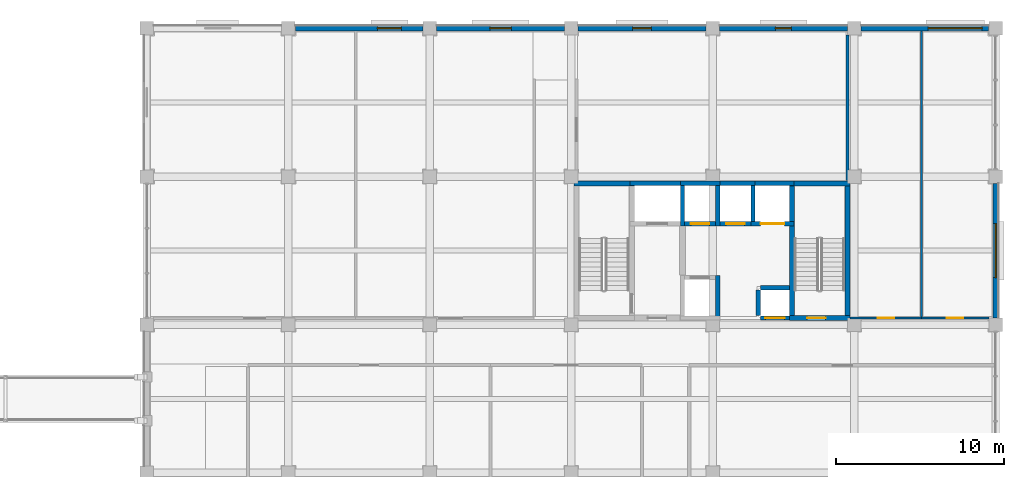
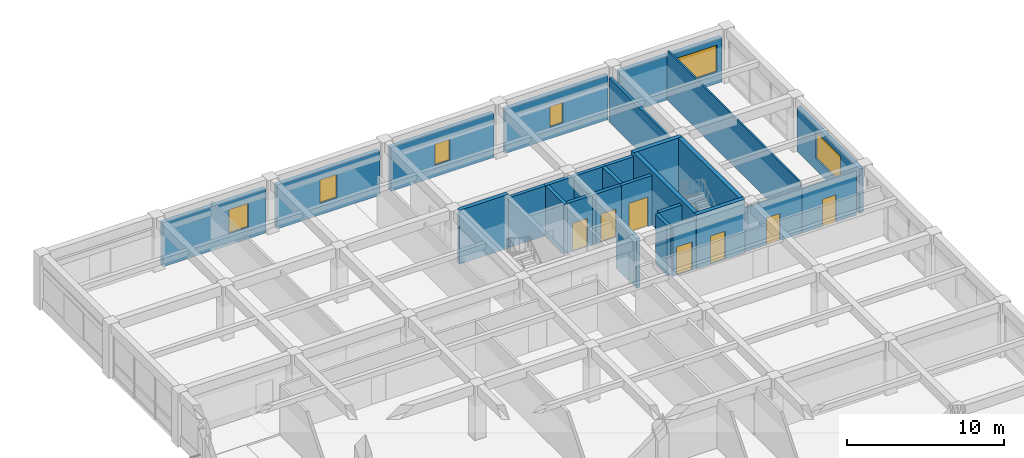
# One storey, part 40 of 57: 29 walls, 7 doors, 6 windows, 13 openings.
"""IFC4 building model written with IfcOpenShell, lengths in metres."""

from ifc_helpers import new_model, si_unit, direction, frame, frame_2d, origin, place, context, subcontext, project, spatial, rectangle, extrude, material, layer, layer_set, type_object, element, fill, save


model = new_model("IFC4")

# Units and contexts
model_context = context("Model", 3, precision=1e-05, world=origin(), true_north=direction((0.0, 1.0)))
body_context = subcontext(model_context, "Body", "Model", "MODEL_VIEW")
ifc_project = project(units=[si_unit("LENGTHUNIT", "METRE"), si_unit("AREAUNIT", "SQUARE_METRE"), si_unit("VOLUMEUNIT", "CUBIC_METRE"), si_unit("PLANEANGLEUNIT", "RADIAN"), si_unit("MASSUNIT", "GRAM", prefix="KILO")], contexts=[model_context])

# Site, building, storey
site_placement = place(None, origin())
site = spatial("IfcSite", under=ifc_project, at=site_placement, CompositionType="ELEMENT")
building_placement = place(site_placement, origin())
building = spatial("IfcBuilding", under=site, at=building_placement, Name="Kemercrest Conservatory and Botanical Centre", CompositionType="ELEMENT")
storey_placement = place(building_placement, frame((0.0, 0.0, 4.800048828125)))
storey = spatial("IfcBuildingStorey", under=building, at=storey_placement, Name="L01", CompositionType="ELEMENT", Elevation=4.800048828125)

# Wall
ifc_material_1 = material(Name="Concrete C50/60", Category="concrete")
ifc_layer_1 = layer(ifc_material_1, 0.300048828125)
ifc_layer_set_1 = layer_set([ifc_layer_1], Name="Concrete C50/60")
wall_type_1 = type_object("IfcWallType", Name="CW-STAIR", PredefinedType="SHEAR", material=ifc_layer_set_1)
wall_1_placement = place(storey_placement, frame((150.949951171875, 113.199951171875, 0.0), z_axis=(0.0, 0.0, 1.0), x_axis=(1.0, 0.0, 0.0)))
element("IfcWall", 1, at=wall_1_placement, inside=storey, type_object=wall_type_1, Name="Stair core ST-V4A shear wall N", PredefinedType="SHEAR", context=body_context, shape_type="SweptSolid", body=[
    extrude(rectangle(XDim=3.60009765625, YDim=0.300048828125, at=frame_2d((1.800048828125, 0.0))), origin(), (0.0, 0.0, 1.0), 4.199951171875),
])

# Wall, opening, door
wall_2_placement = place(storey_placement, frame((163.75, 105.199951171875, 0.0), z_axis=(0.0, 0.0, 1.0), x_axis=(1.0, 0.0, 0.0)))
wall_2 = element("IfcWall", 2, at=wall_2_placement, inside=storey, type_object=wall_type_1, Name="Stair core ST-V4B shear wall S", PredefinedType="SHEAR", context=body_context, shape_type="SweptSolid", body=[
    extrude(rectangle(XDim=3.60009765625, YDim=0.300048828125, at=frame_2d((1.800048828125, 0.0))), origin(), (0.0, 0.0, 1.0), 4.199951171875),
])
opening_1_placement = place(wall_2_placement, frame((1.050048828125, 0.0, 0.0)))
opening_1 = element("IfcOpeningElement", 3, at=opening_1_placement, cuts=wall_2, Name="Opening D046", PredefinedType="OPENING", context=body_context, shape_type="SweptSolid", body=[
    extrude(rectangle(XDim=1.10009765625, YDim=2.199951171875, at=frame_2d((0.550048828125, 1.10009765625))), frame((0.0, 0.16015625, 0.0), z_axis=(0.0, -1.0, 0.0), x_axis=(1.0, 0.0, 0.0)), (0.0, 0.0, 1.0), 0.320068359375),
])
ifc_material_2 = material(Name="Powder-coated galvanized steel and fire-rated vision glass", Category="steel")
door_type_1 = type_object("IfcDoorType", Name="DT-FD90", OperationType="NOTDEFINED", PredefinedType="DOOR", material=ifc_material_2)
door_1_placement = place(opening_1_placement, origin())
door_1 = element("IfcDoor", 4, at=door_1_placement, inside=storey, type_object=door_type_1, Name="Exit stair ST-V4B fire door D046", OperationType="SINGLE_SWING_RIGHT", OverallHeight=2.199951171875, OverallWidth=1.10009765625, PredefinedType="DOOR", context=body_context, shape_type="SweptSolid", body=[
    extrude(rectangle(XDim=1.10009765625, YDim=2.199951171875, at=frame_2d((0.550048828125, 1.10009765625))), frame((0.0, 0.02490234375, 0.0), z_axis=(0.0, -1.0, 0.0), x_axis=(1.0, 0.0, 0.0)), (0.0, 0.0, 1.0), 0.050048828125),
])
fill(opening_1, door_1)

# Walls
wall_3_placement = place(storey_placement, frame((163.75, 113.199951171875, 0.0), z_axis=(0.0, 0.0, 1.0), x_axis=(1.0, 0.0, 0.0)))
element("IfcWall", 5, at=wall_3_placement, inside=storey, type_object=wall_type_1, Name="Stair core ST-V4B shear wall N", PredefinedType="SHEAR", context=body_context, shape_type="SweptSolid", body=[
    extrude(rectangle(XDim=3.60009765625, YDim=0.300048828125, at=frame_2d((1.800048828125, 0.0))), origin(), (0.0, 0.0, 1.0), 4.199951171875),
])
for number, where, z_axis, x_axis, name in (
    (6, (163.89990234375, 105.050048828125, 0.0), (0.0, 0.0, 1.0), (0.0, 1.0, 0.0), "Stair core ST-V4B shear wall W"),
    (7, (167.199951171875, 105.050048828125, 0.0), (0.0, 0.0, 1.0), (0.0, 1.0, 0.0), "Stair core ST-V4B shear wall E"),
):
    element("IfcWall", number, at=place(storey_placement, frame(where, z_axis=z_axis, x_axis=x_axis)), inside=storey, type_object=wall_type_1, Name=name, PredefinedType="SHEAR", context=body_context, shape_type="SweptSolid", body=[
        extrude(rectangle(XDim=8.300048828125, YDim=0.300048828125, at=frame_2d((4.14990234375, 0.0))), origin(), (0.0, 0.0, 1.0), 4.199951171875),
    ])

# Wall, opening, window
ifc_material_3 = material(Name="Precast concrete C40/50", Category="concrete")
ifc_layer_2 = layer(ifc_material_3, 0.300048828125)
ifc_layer_set_2 = layer_set([ifc_layer_2], Name="Precast concrete C40/50")
wall_type_2 = type_object("IfcWallType", Name="W-EXT300", PredefinedType="SOLIDWALL", material=ifc_layer_set_2)
wall_4_placement = place(storey_placement, frame((176.0, 105.2099609375, 0.0), z_axis=(0.0, 0.0, 1.0), x_axis=(0.0, 1.0, 0.0)))
wall_4 = element("IfcWall", 8, at=wall_4_placement, inside=storey, type_object=wall_type_2, Name="Exterior almasik wall W-EXT300 (WAL:L01:EXT-180)", PredefinedType="SOLIDWALL", context=body_context, shape_type="SweptSolid", body=[
    extrude(rectangle(XDim=7.97998046875, YDim=0.300048828125, at=frame_2d((3.989990234375, 0.0))), origin(), (0.0, 0.0, 1.0), 3.449951171875),
])
opening_2_placement = place(wall_4_placement, frame((2.389892578125, 0.0, 0.89990234375)))
opening_2 = element("IfcOpeningElement", 9, at=opening_2_placement, cuts=wall_4, Name="Opening WT-19", PredefinedType="OPENING", context=body_context, shape_type="SweptSolid", body=[
    extrude(rectangle(XDim=3.199951171875, YDim=2.10009765625, at=frame_2d((1.60009765625, 1.050048828125))), frame((0.0, 0.16015625, 0.0), z_axis=(0.0, -1.0, 0.0), x_axis=(1.0, 0.0, 0.0)), (0.0, 0.0, 1.0), 0.320068359375),
])
ifc_material_4 = material(Name="Thermally broken bronze-anodized aluminium and triple glazing", Category="aluminium")
window_type_1 = type_object("IfcWindowType", Name="WT-19", PartitioningType="SINGLE_PANEL", PredefinedType="WINDOW", material=ifc_material_4)
window_1_placement = place(opening_2_placement, origin())
window_1 = element("IfcWindow", 10, at=window_1_placement, inside=storey, type_object=window_type_1, Name="Exterior window WT-19 (WIN:L01:EXT-180)", OverallHeight=2.10009765625, OverallWidth=3.199951171875, PartitioningType="SINGLE_PANEL", PredefinedType="WINDOW", context=body_context, shape_type="SweptSolid", body=[
    extrude(rectangle(XDim=3.199951171875, YDim=2.10009765625, at=frame_2d((1.60009765625, 1.050048828125))), frame((0.0, 0.030029296875, 0.0), z_axis=(0.0, -1.0, 0.0), x_axis=(1.0, 0.0, 0.0)), (0.0, 0.0, 1.0), 0.06005859375),
])
fill(opening_2, window_1)

wall_5_placement = place(storey_placement, frame((175.590087890625, 122.39990234375, 0.0), z_axis=(0.0, 0.0, 1.0), x_axis=(-1.0, 0.0, 0.0)))
wall_5 = element("IfcWall", 11, at=wall_5_placement, inside=storey, type_object=wall_type_2, Name="Exterior almasik wall W-EXT300 (WAL:L01:EXT-181)", PredefinedType="SOLIDWALL", context=body_context, shape_type="SweptSolid", body=[
    extrude(rectangle(XDim=7.580078125, YDim=0.300048828125, at=frame_2d((3.7900390625, 0.0))), origin(), (0.0, 0.0, 1.0), 3.449951171875),
])
opening_3_placement = place(wall_5_placement, frame((0.39501953125, 0.0, 0.89990234375)))
opening_3 = element("IfcOpeningElement", 12, at=opening_3_placement, cuts=wall_5, Name="Opening WT-19", PredefinedType="OPENING", context=body_context, shape_type="SweptSolid", body=[
    extrude(rectangle(XDim=3.199951171875, YDim=2.10009765625, at=frame_2d((1.60009765625, 1.050048828125))), frame((0.0, 0.16015625, 0.0), z_axis=(0.0, -1.0, 0.0), x_axis=(1.0, 0.0, 0.0)), (0.0, 0.0, 1.0), 0.320068359375),
])
window_2_placement = place(opening_3_placement, origin())
window_2 = element("IfcWindow", 13, at=window_2_placement, inside=storey, type_object=window_type_1, Name="Exterior window WT-19 (WIN:L01:EXT-181)", OverallHeight=2.10009765625, OverallWidth=3.199951171875, PartitioningType="SINGLE_PANEL", PredefinedType="WINDOW", context=body_context, shape_type="SweptSolid", body=[
    extrude(rectangle(XDim=3.199951171875, YDim=2.10009765625, at=frame_2d((1.60009765625, 1.050048828125))), frame((0.0, 0.030029296875, 0.0), z_axis=(0.0, -1.0, 0.0), x_axis=(1.0, 0.0, 0.0)), (0.0, 0.0, 1.0), 0.06005859375),
])
fill(opening_3, window_2)

wall_6_placement = place(storey_placement, frame((167.18994140625, 122.39990234375, 0.0), z_axis=(0.0, 0.0, 1.0), x_axis=(-1.0, 0.0, 0.0)))
wall_6 = element("IfcWall", 14, at=wall_6_placement, inside=storey, type_object=wall_type_2, Name="Exterior almasik wall W-EXT300 (WAL:L01:EXT-182)", PredefinedType="SOLIDWALL", context=body_context, shape_type="SweptSolid", body=[
    extrude(rectangle(XDim=7.579833984375, YDim=0.300048828125, at=frame_2d((3.7900390625, 0.0))), origin(), (0.0, 0.0, 1.0), 3.449951171875),
])
opening_4_placement = place(wall_6_placement, frame((3.31494140625, 0.0, 0.89990234375)))
opening_4 = element("IfcOpeningElement", 15, at=opening_4_placement, cuts=wall_6, Name="Opening WT-21", PredefinedType="OPENING", context=body_context, shape_type="SweptSolid", body=[
    extrude(rectangle(XDim=0.949951171875, YDim=1.60009765625, at=frame_2d((0.47509765625, 0.800048828125))), frame((0.0, 0.16015625, 0.0), z_axis=(0.0, -1.0, 0.0), x_axis=(1.0, 0.0, 0.0)), (0.0, 0.0, 1.0), 0.320068359375),
])
window_type_2 = type_object("IfcWindowType", Name="WT-21", PartitioningType="SINGLE_PANEL", PredefinedType="WINDOW", material=ifc_material_4)
window_3_placement = place(opening_4_placement, origin())
window_3 = element("IfcWindow", 16, at=window_3_placement, inside=storey, type_object=window_type_2, Name="Exterior window WT-21 (WIN:L01:EXT-182)", OverallHeight=1.60009765625, OverallWidth=0.949951171875, PartitioningType="SINGLE_PANEL", PredefinedType="WINDOW", context=body_context, shape_type="SweptSolid", body=[
    extrude(rectangle(XDim=0.949951171875, YDim=1.60009765625, at=frame_2d((0.47509765625, 0.800048828125))), frame((0.0, 0.030029296875, 0.0), z_axis=(0.0, -1.0, 0.0), x_axis=(1.0, 0.0, 0.0)), (0.0, 0.0, 1.0), 0.06005859375),
])
fill(opening_4, window_3)

wall_7_placement = place(storey_placement, frame((158.7900390625, 122.39990234375, 0.0), z_axis=(0.0, 0.0, 1.0), x_axis=(-1.0, 0.0, 0.0)))
wall_7 = element("IfcWall", 17, at=wall_7_placement, inside=storey, type_object=wall_type_2, Name="Exterior almasik wall W-EXT300 (WAL:L01:EXT-183)", PredefinedType="SOLIDWALL", context=body_context, shape_type="SweptSolid", body=[
    extrude(rectangle(XDim=7.580078125, YDim=0.300048828125, at=frame_2d((3.7900390625, 0.0))), origin(), (0.0, 0.0, 1.0), 3.449951171875),
])
opening_5_placement = place(wall_7_placement, frame((3.239990234375, 0.0, 0.89990234375)))
opening_5 = element("IfcOpeningElement", 18, at=opening_5_placement, cuts=wall_7, Name="Opening WT-22", PredefinedType="OPENING", context=body_context, shape_type="SweptSolid", body=[
    extrude(rectangle(XDim=1.10009765625, YDim=1.64990234375, at=frame_2d((0.550048828125, 0.824951171875))), frame((0.0, 0.16015625, 0.0), z_axis=(0.0, -1.0, 0.0), x_axis=(1.0, 0.0, 0.0)), (0.0, 0.0, 1.0), 0.320068359375),
])
window_type_3 = type_object("IfcWindowType", Name="WT-22", PartitioningType="SINGLE_PANEL", PredefinedType="WINDOW", material=ifc_material_4)
window_4_placement = place(opening_5_placement, origin())
window_4 = element("IfcWindow", 19, at=window_4_placement, inside=storey, type_object=window_type_3, Name="Exterior window WT-22 (WIN:L01:EXT-183)", OverallHeight=1.64990234375, OverallWidth=1.10009765625, PartitioningType="SINGLE_PANEL", PredefinedType="WINDOW", context=body_context, shape_type="SweptSolid", body=[
    extrude(rectangle(XDim=1.10009765625, YDim=1.64990234375, at=frame_2d((0.550048828125, 0.824951171875))), frame((0.0, 0.030029296875, 0.0), z_axis=(0.0, -1.0, 0.0), x_axis=(1.0, 0.0, 0.0)), (0.0, 0.0, 1.0), 0.06005859375),
])
fill(opening_5, window_4)

wall_8_placement = place(storey_placement, frame((150.389892578125, 122.39990234375, 0.0), z_axis=(0.0, 0.0, 1.0), x_axis=(-1.0, 0.0, 0.0)))
wall_8 = element("IfcWall", 20, at=wall_8_placement, inside=storey, type_object=wall_type_2, Name="Exterior almasik wall W-EXT300 (WAL:L01:EXT-184)", PredefinedType="SOLIDWALL", context=body_context, shape_type="SweptSolid", body=[
    extrude(rectangle(XDim=7.579833984375, YDim=0.300048828125, at=frame_2d((3.7900390625, 0.0))), origin(), (0.0, 0.0, 1.0), 3.449951171875),
])
opening_6_placement = place(wall_8_placement, frame((3.14990234375, 0.0, 0.89990234375)))
opening_6 = element("IfcOpeningElement", 21, at=opening_6_placement, cuts=wall_8, Name="Opening WT-29", PredefinedType="OPENING", context=body_context, shape_type="SweptSolid", body=[
    extrude(rectangle(XDim=1.280029296875, YDim=1.820068359375, at=frame_2d((0.64013671875, 0.91015625))), frame((0.0, 0.16015625, 0.0), z_axis=(0.0, -1.0, 0.0), x_axis=(1.0, 0.0, 0.0)), (0.0, 0.0, 1.0), 0.320068359375),
])
window_type_4 = type_object("IfcWindowType", Name="WT-29", PartitioningType="SINGLE_PANEL", PredefinedType="WINDOW", material=ifc_material_4)
window_5_placement = place(opening_6_placement, origin())
window_5 = element("IfcWindow", 22, at=window_5_placement, inside=storey, type_object=window_type_4, Name="Exterior window WT-29 (WIN:L01:EXT-184)", OverallHeight=1.820068359375, OverallWidth=1.280029296875, PartitioningType="SINGLE_PANEL", PredefinedType="WINDOW", context=body_context, shape_type="SweptSolid", body=[
    extrude(rectangle(XDim=1.280029296875, YDim=1.820068359375, at=frame_2d((0.64013671875, 0.91015625))), frame((0.0, 0.030029296875, 0.0), z_axis=(0.0, -1.0, 0.0), x_axis=(1.0, 0.0, 0.0)), (0.0, 0.0, 1.0), 0.06005859375),
])
fill(opening_6, window_5)

wall_9_placement = place(storey_placement, frame((141.989990234375, 122.39990234375, 0.0), z_axis=(0.0, 0.0, 1.0), x_axis=(-1.0, 0.0, 0.0)))
wall_9 = element("IfcWall", 23, at=wall_9_placement, inside=storey, type_object=wall_type_2, Name="Exterior almasik wall W-EXT300 (WAL:L01:EXT-185)", PredefinedType="SOLIDWALL", context=body_context, shape_type="SweptSolid", body=[
    extrude(rectangle(XDim=7.580078125, YDim=0.300048828125, at=frame_2d((3.7900390625, 0.0))), origin(), (0.0, 0.0, 1.0), 3.449951171875),
])
opening_7_placement = place(wall_9_placement, frame((1.284912109375, 0.0, 0.89990234375)))
opening_7 = element("IfcOpeningElement", 24, at=opening_7_placement, cuts=wall_9, Name="Opening WT-30", PredefinedType="OPENING", context=body_context, shape_type="SweptSolid", body=[
    extrude(rectangle(XDim=1.419921875, YDim=1.860107421875, at=frame_2d((0.7099609375, 0.93017578125))), frame((0.0, 0.16015625, 0.0), z_axis=(0.0, -1.0, 0.0), x_axis=(1.0, 0.0, 0.0)), (0.0, 0.0, 1.0), 0.320068359375),
])
window_type_5 = type_object("IfcWindowType", Name="WT-30", PartitioningType="SINGLE_PANEL", PredefinedType="WINDOW", material=ifc_material_4)
window_6_placement = place(opening_7_placement, origin())
window_6 = element("IfcWindow", 25, at=window_6_placement, inside=storey, type_object=window_type_5, Name="Exterior window WT-30 (WIN:L01:EXT-185)", OverallHeight=1.860107421875, OverallWidth=1.419921875, PartitioningType="SINGLE_PANEL", PredefinedType="WINDOW", context=body_context, shape_type="SweptSolid", body=[
    extrude(rectangle(XDim=1.419921875, YDim=1.860107421875, at=frame_2d((0.7099609375, 0.93017578125))), frame((0.0, 0.030029296875, 0.0), z_axis=(0.0, -1.0, 0.0), x_axis=(1.0, 0.0, 0.0)), (0.0, 0.0, 1.0), 0.06005859375),
])
fill(opening_7, window_6)

# Wall, opening, door
ifc_material_5 = material(Name="Moisture-resistant gypsum board partition", Category="gypsum")
ifc_layer_3 = layer(ifc_material_5, 0.125)
ifc_layer_set_3 = layer_set([ifc_layer_3], Name="Moisture-resistant gypsum board partition")
wall_type_3 = type_object("IfcWallType", Name="W-PART125", PredefinedType="PARTITIONING", material=ifc_layer_set_3)
wall_10_placement = place(storey_placement, frame((167.35498046875, 105.199951171875, 0.0), z_axis=(0.0, 0.0, 1.0), x_axis=(1.0, 0.0, 0.0)))
wall_10 = element("IfcWall", 26, at=wall_10_placement, inside=storey, type_object=wall_type_3, Name="Interior partition W-PART125 #84", PredefinedType="PARTITIONING", context=body_context, shape_type="SweptSolid", body=[
    extrude(rectangle(XDim=4.2451171875, YDim=0.125, at=frame_2d((2.12255859375, 0.0))), origin(), (0.0, 0.0, 1.0), 3.445068359375),
])
opening_8_placement = place(wall_10_placement, frame((1.632568359375, 0.0, 0.0)))
opening_8 = element("IfcOpeningElement", 27, at=opening_8_placement, cuts=wall_10, Name="Opening D160", PredefinedType="OPENING", context=body_context, shape_type="SweptSolid", body=[
    extrude(rectangle(XDim=0.97998046875, YDim=2.10009765625, at=frame_2d((0.489990234375, 1.050048828125))), frame((0.0, 0.072509765625, 0.0), z_axis=(0.0, -1.0, 0.0), x_axis=(1.0, 0.0, 0.0)), (0.0, 0.0, 1.0), 0.14501953125),
])
ifc_material_6 = material(Name="FSC solid-core white oak veneer and anodized aluminium frame", Category="aluminium")
door_type_2 = type_object("IfcDoorType", Name="DT-02", OperationType="NOTDEFINED", PredefinedType="DOOR", material=ifc_material_6)
door_2_placement = place(opening_8_placement, origin())
door_2 = element("IfcDoor", 28, at=door_2_placement, inside=storey, type_object=door_type_2, Name="Public Washroom door D160", OperationType="SINGLE_SWING_RIGHT", OverallHeight=2.10009765625, OverallWidth=0.97998046875, PredefinedType="DOOR", context=body_context, shape_type="SweptSolid", body=[
    extrude(rectangle(XDim=0.97998046875, YDim=2.10009765625, at=frame_2d((0.489990234375, 1.050048828125))), frame((0.0, 0.02490234375, 0.0), z_axis=(0.0, -1.0, 0.0), x_axis=(1.0, 0.0, 0.0)), (0.0, 0.0, 1.0), 0.050048828125),
])
fill(opening_8, door_2)

wall_11_placement = place(storey_placement, frame((171.60009765625, 105.199951171875, 0.0), z_axis=(0.0, 0.0, 1.0), x_axis=(1.0, 0.0, 0.0)))
wall_11 = element("IfcWall", 29, at=wall_11_placement, inside=storey, type_object=wall_type_3, Name="Interior partition W-PART125 #85", PredefinedType="PARTITIONING", context=body_context, shape_type="SweptSolid", body=[
    extrude(rectangle(XDim=4.0, YDim=0.125, at=frame_2d((2.0, 0.0))), origin(), (0.0, 0.0, 1.0), 3.445068359375),
])
opening_9_placement = place(wall_11_placement, frame((1.510009765625, 0.0, 0.0)))
opening_9 = element("IfcOpeningElement", 30, at=opening_9_placement, cuts=wall_11, Name="Opening D161", PredefinedType="OPENING", context=body_context, shape_type="SweptSolid", body=[
    extrude(rectangle(XDim=0.97998046875, YDim=2.10009765625, at=frame_2d((0.489990234375, 1.050048828125))), frame((0.0, 0.072509765625, 0.0), z_axis=(0.0, -1.0, 0.0), x_axis=(1.0, 0.0, 0.0)), (0.0, 0.0, 1.0), 0.14501953125),
])
door_3_placement = place(opening_9_placement, origin())
door_3 = element("IfcDoor", 31, at=door_3_placement, inside=storey, type_object=door_type_2, Name="Accessible Washroom door D161", OperationType="SINGLE_SWING_LEFT", OverallHeight=2.10009765625, OverallWidth=0.97998046875, PredefinedType="DOOR", context=body_context, shape_type="SweptSolid", body=[
    extrude(rectangle(XDim=0.97998046875, YDim=2.10009765625, at=frame_2d((0.489990234375, 1.050048828125))), frame((0.0, 0.02490234375, 0.0), z_axis=(0.0, -1.0, 0.0), x_axis=(1.0, 0.0, 0.0)), (0.0, 0.0, 1.0), 0.050048828125),
])
fill(opening_9, door_3)

# Walls
wall_12_placement = place(storey_placement, frame((171.60009765625, 105.267578125, 0.0), z_axis=(0.0, 0.0, 1.0), x_axis=(0.0, 1.0, 0.0)))
element("IfcWall", 32, at=wall_12_placement, inside=storey, type_object=wall_type_3, Name="Interior partition W-PART125 #103", PredefinedType="PARTITIONING", context=body_context, shape_type="SweptSolid", body=[
    extrude(rectangle(XDim=16.9775390625, YDim=0.125, at=frame_2d((8.48876953125, 0.0))), origin(), (0.0, 0.0, 1.0), 3.864990234375),
])
ifc_material_7 = material(Name="Acoustic steel-stud gypsum board assembly", Category="steel")
ifc_layer_4 = layer(ifc_material_7, 0.179931640625)
ifc_layer_set_4 = layer_set([ifc_layer_4], Name="Acoustic steel-stud gypsum board assembly")
wall_type_4 = type_object("IfcWallType", Name="W-PART180", PredefinedType="PARTITIONING", material=ifc_layer_set_4)
wall_13_placement = place(storey_placement, frame((167.199951171875, 113.35498046875, 0.0), z_axis=(0.0, 0.0, 1.0), x_axis=(0.0, 1.0, 0.0)))
element("IfcWall", 33, at=wall_13_placement, inside=storey, type_object=wall_type_4, Name="Interior partition W-PART180 #102", PredefinedType="PARTITIONING", context=body_context, shape_type="SweptSolid", body=[
    extrude(rectangle(XDim=8.64501953125, YDim=0.179931640625, at=frame_2d((4.322509765625, 0.0))), origin(), (0.0, 0.0, 1.0), 3.445068359375),
])
ifc_material_8 = material(Name="Concrete C40/50", Category="concrete")
ifc_layer_5 = layer(ifc_material_8, 0.25)
ifc_layer_set_5 = layer_set([ifc_layer_5], Name="Concrete C40/50")
wall_type_5 = type_object("IfcWallType", Name="W-SHFT250", PredefinedType="SOLIDWALL", material=ifc_layer_set_5)
wall_14_placement = place(storey_placement, frame((154.27490234375, 113.199951171875, 0.0), z_axis=(0.0, 0.0, 1.0), x_axis=(1.0, 0.0, 0.0)))
element("IfcWall", 34, at=wall_14_placement, inside=storey, type_object=wall_type_5, Name="Elevator LF-FF1 shaft wall north", PredefinedType="SOLIDWALL", context=body_context, shape_type="SweptSolid", body=[
    extrude(rectangle(XDim=3.25, YDim=0.25, at=frame_2d((1.625, 0.0))), origin(), (0.0, 0.0, 1.0), 3.8798828125),
])
wall_15_placement = place(storey_placement, frame((157.39990234375, 110.675048828125, 0.0), z_axis=(0.0, 0.0, 1.0), x_axis=(0.0, 1.0, 0.0)))
element("IfcWall", 35, at=wall_15_placement, inside=storey, type_object=wall_type_5, Name="Elevator LF-FF1 shaft wall east", PredefinedType="SOLIDWALL", context=body_context, shape_type="SweptSolid", body=[
    extrude(rectangle(XDim=2.64990234375, YDim=0.25, at=frame_2d((1.324951171875, 0.0))), origin(), (0.0, 0.0, 1.0), 3.8798828125),
])

# Wall, opening, door
wall_16_placement = place(storey_placement, frame((157.27490234375, 110.800048828125, 0.0), z_axis=(0.0, 0.0, 1.0), x_axis=(1.0, 0.0, 0.0)))
wall_16 = element("IfcWall", 36, at=wall_16_placement, inside=storey, type_object=wall_type_5, Name="Elevator LF-P1 shaft wall south", PredefinedType="SOLIDWALL", context=body_context, shape_type="SweptSolid", body=[
    extrude(rectangle(XDim=2.35009765625, YDim=0.25, at=frame_2d((1.175048828125, 0.0))), origin(), (0.0, 0.0, 1.0), 3.8798828125),
])
opening_10_placement = place(wall_16_placement, frame((0.625, 0.0, 0.0)))
opening_10 = element("IfcOpeningElement", 37, at=opening_10_placement, cuts=wall_16, Name="Opening LD-022", PredefinedType="OPENING", context=body_context, shape_type="SweptSolid", body=[
    extrude(rectangle(XDim=1.10009765625, YDim=2.199951171875, at=frame_2d((0.550048828125, 1.10009765625))), frame((0.0, 0.135009765625, 0.0), z_axis=(0.0, -1.0, 0.0), x_axis=(1.0, 0.0, 0.0)), (0.0, 0.0, 1.0), 0.27001953125),
])
door_type_3 = type_object("IfcDoorType", Name="DT-LD01", OperationType="SLIDING_TO_LEFT", PredefinedType="DOOR", material=ifc_material_2)
door_4_placement = place(opening_10_placement, origin())
door_4 = element("IfcDoor", 38, at=door_4_placement, inside=storey, type_object=door_type_3, Name="Elevator LF-P1 sliding landing door LD-022", OperationType="SLIDING_TO_LEFT", OverallHeight=2.199951171875, OverallWidth=1.10009765625, PredefinedType="DOOR", context=body_context, shape_type="SweptSolid", body=[
    extrude(rectangle(XDim=1.10009765625, YDim=2.199951171875, at=frame_2d((0.550048828125, 1.10009765625))), frame((0.0, 0.02490234375, 0.0), z_axis=(0.0, -1.0, 0.0), x_axis=(1.0, 0.0, 0.0)), (0.0, 0.0, 1.0), 0.050048828125),
])
fill(opening_10, door_4)

# Walls
wall_17_placement = place(storey_placement, frame((157.27490234375, 113.199951171875, 0.0), z_axis=(0.0, 0.0, 1.0), x_axis=(1.0, 0.0, 0.0)))
element("IfcWall", 39, at=wall_17_placement, inside=storey, type_object=wall_type_5, Name="Elevator LF-P1 shaft wall north", PredefinedType="SOLIDWALL", context=body_context, shape_type="SweptSolid", body=[
    extrude(rectangle(XDim=2.35009765625, YDim=0.25, at=frame_2d((1.175048828125, 0.0))), origin(), (0.0, 0.0, 1.0), 3.8798828125),
])
wall_18_placement = place(storey_placement, frame((159.5, 110.675048828125, 0.0), z_axis=(0.0, 0.0, 1.0), x_axis=(0.0, 1.0, 0.0)))
element("IfcWall", 40, at=wall_18_placement, inside=storey, type_object=wall_type_5, Name="Elevator LF-P1 shaft wall east", PredefinedType="SOLIDWALL", context=body_context, shape_type="SweptSolid", body=[
    extrude(rectangle(XDim=2.64990234375, YDim=0.25, at=frame_2d((1.324951171875, 0.0))), origin(), (0.0, 0.0, 1.0), 3.8798828125),
])

# Wall, opening, door
wall_19_placement = place(storey_placement, frame((159.375, 110.800048828125, 0.0), z_axis=(0.0, 0.0, 1.0), x_axis=(1.0, 0.0, 0.0)))
wall_19 = element("IfcWall", 41, at=wall_19_placement, inside=storey, type_object=wall_type_5, Name="Elevator LF-P2 shaft wall south", PredefinedType="SOLIDWALL", context=body_context, shape_type="SweptSolid", body=[
    extrude(rectangle(XDim=2.35009765625, YDim=0.25, at=frame_2d((1.175048828125, 0.0))), origin(), (0.0, 0.0, 1.0), 3.8798828125),
])
opening_11_placement = place(wall_19_placement, frame((0.625, 0.0, 0.0)))
opening_11 = element("IfcOpeningElement", 42, at=opening_11_placement, cuts=wall_19, Name="Opening LD-041", PredefinedType="OPENING", context=body_context, shape_type="SweptSolid", body=[
    extrude(rectangle(XDim=1.10009765625, YDim=2.199951171875, at=frame_2d((0.550048828125, 1.10009765625))), frame((0.0, 0.135009765625, 0.0), z_axis=(0.0, -1.0, 0.0), x_axis=(1.0, 0.0, 0.0)), (0.0, 0.0, 1.0), 0.27001953125),
])
door_5_placement = place(opening_11_placement, origin())
door_5 = element("IfcDoor", 43, at=door_5_placement, inside=storey, type_object=door_type_3, Name="Elevator LF-P2 sliding landing door LD-041", OperationType="SLIDING_TO_LEFT", OverallHeight=2.199951171875, OverallWidth=1.10009765625, PredefinedType="DOOR", context=body_context, shape_type="SweptSolid", body=[
    extrude(rectangle(XDim=1.10009765625, YDim=2.199951171875, at=frame_2d((0.550048828125, 1.10009765625))), frame((0.0, 0.02490234375, 0.0), z_axis=(0.0, -1.0, 0.0), x_axis=(1.0, 0.0, 0.0)), (0.0, 0.0, 1.0), 0.050048828125),
])
fill(opening_11, door_5)

# Walls
wall_20_placement = place(storey_placement, frame((159.375, 113.199951171875, 0.0), z_axis=(0.0, 0.0, 1.0), x_axis=(1.0, 0.0, 0.0)))
element("IfcWall", 44, at=wall_20_placement, inside=storey, type_object=wall_type_5, Name="Elevator LF-P2 shaft wall north", PredefinedType="SOLIDWALL", context=body_context, shape_type="SweptSolid", body=[
    extrude(rectangle(XDim=2.35009765625, YDim=0.25, at=frame_2d((1.175048828125, 0.0))), origin(), (0.0, 0.0, 1.0), 3.8798828125),
])
wall_21_placement = place(storey_placement, frame((161.60009765625, 110.675048828125, 0.0), z_axis=(0.0, 0.0, 1.0), x_axis=(0.0, 1.0, 0.0)))
element("IfcWall", 45, at=wall_21_placement, inside=storey, type_object=wall_type_5, Name="Elevator LF-P2 shaft wall east", PredefinedType="SOLIDWALL", context=body_context, shape_type="SweptSolid", body=[
    extrude(rectangle(XDim=2.64990234375, YDim=0.25, at=frame_2d((1.324951171875, 0.0))), origin(), (0.0, 0.0, 1.0), 3.8798828125),
])
wall_22_placement = place(storey_placement, frame((159.5, 105.074951171875, 0.0), z_axis=(0.0, 0.0, 1.0), x_axis=(0.0, 1.0, 0.0)))
element("IfcWall", 46, at=wall_22_placement, inside=storey, type_object=wall_type_5, Name="Elevator LF-P3 shaft wall east", PredefinedType="SOLIDWALL", context=body_context, shape_type="SweptSolid", body=[
    extrude(rectangle(XDim=2.650146484375, YDim=0.25, at=frame_2d((1.3251953125, 0.0))), origin(), (0.0, 0.0, 1.0), 3.8798828125),
])

# Wall, opening, door
wall_23_placement = place(storey_placement, frame((161.47509765625, 110.800048828125, 0.0), z_axis=(0.0, 0.0, 1.0), x_axis=(1.0, 0.0, 0.0)))
wall_23 = element("IfcWall", 47, at=wall_23_placement, inside=storey, type_object=wall_type_5, Name="Elevator LF-G1 shaft wall south", PredefinedType="SOLIDWALL", context=body_context, shape_type="SweptSolid", body=[
    extrude(rectangle(XDim=2.5498046875, YDim=0.25, at=frame_2d((1.27490234375, 0.0))), origin(), (0.0, 0.0, 1.0), 3.8798828125),
])
opening_12_placement = place(wall_23_placement, frame((0.574951171875, 0.0, 0.0)))
opening_12 = element("IfcOpeningElement", 48, at=opening_12_placement, cuts=wall_23, Name="Opening LD-077", PredefinedType="OPENING", context=body_context, shape_type="SweptSolid", body=[
    extrude(rectangle(XDim=1.39990234375, YDim=2.300048828125, at=frame_2d((0.699951171875, 1.14990234375))), frame((0.0, 0.135009765625, 0.0), z_axis=(0.0, -1.0, 0.0), x_axis=(1.0, 0.0, 0.0)), (0.0, 0.0, 1.0), 0.27001953125),
])
door_type_4 = type_object("IfcDoorType", Name="DT-LD03", OperationType="SLIDING_TO_LEFT", PredefinedType="DOOR", material=ifc_material_2)
door_6_placement = place(opening_12_placement, origin())
door_6 = element("IfcDoor", 49, at=door_6_placement, inside=storey, type_object=door_type_4, Name="Elevator LF-G1 sliding landing door LD-077", OperationType="SLIDING_TO_LEFT", OverallHeight=2.300048828125, OverallWidth=1.39990234375, PredefinedType="DOOR", context=body_context, shape_type="SweptSolid", body=[
    extrude(rectangle(XDim=1.39990234375, YDim=2.300048828125, at=frame_2d((0.699951171875, 1.14990234375))), frame((0.0, 0.02490234375, 0.0), z_axis=(0.0, -1.0, 0.0), x_axis=(1.0, 0.0, 0.0)), (0.0, 0.0, 1.0), 0.050048828125),
])
fill(opening_12, door_6)

# Walls
wall_24_placement = place(storey_placement, frame((161.47509765625, 113.199951171875, 0.0), z_axis=(0.0, 0.0, 1.0), x_axis=(1.0, 0.0, 0.0)))
element("IfcWall", 50, at=wall_24_placement, inside=storey, type_object=wall_type_5, Name="Elevator LF-G1 shaft wall north", PredefinedType="SOLIDWALL", context=body_context, shape_type="SweptSolid", body=[
    extrude(rectangle(XDim=2.5498046875, YDim=0.25, at=frame_2d((1.27490234375, 0.0))), origin(), (0.0, 0.0, 1.0), 3.8798828125),
])
wall_25_placement = place(storey_placement, frame((161.89990234375, 105.35009765625, 0.0), z_axis=(0.0, 0.0, 1.0), x_axis=(0.0, 1.0, 0.0)))
element("IfcWall", 51, at=wall_25_placement, inside=storey, type_object=wall_type_5, Name="Core service riser shaft wall W", PredefinedType="SOLIDWALL", context=body_context, shape_type="SweptSolid", body=[
    extrude(rectangle(XDim=1.5, YDim=0.25, at=frame_2d((0.75, 0.0))), origin(), (0.0, 0.0, 1.0), 3.8798828125),
])
wall_26_placement = place(storey_placement, frame((162.050048828125, 107.0, 0.0), z_axis=(0.0, 0.0, 1.0), x_axis=(1.0, 0.0, 0.0)))
element("IfcWall", 52, at=wall_26_placement, inside=storey, type_object=wall_type_5, Name="Core service riser shaft wall N", PredefinedType="SOLIDWALL", context=body_context, shape_type="SweptSolid", body=[
    extrude(rectangle(XDim=1.699951171875, YDim=0.25, at=frame_2d((0.85009765625, 0.0))), origin(), (0.0, 0.0, 1.0), 3.8798828125),
])

# Wall, opening, door
wall_27_placement = place(storey_placement, frame((162.050048828125, 105.199951171875, 0.0), z_axis=(0.0, 0.0, 1.0), x_axis=(1.0, 0.0, 0.0)))
wall_27 = element("IfcWall", 53, at=wall_27_placement, inside=storey, type_object=wall_type_5, Name="Core service riser shaft wall S", PredefinedType="SOLIDWALL", context=body_context, shape_type="SweptSolid", body=[
    extrude(rectangle(XDim=1.699951171875, YDim=0.25, at=frame_2d((0.85009765625, 0.0))), origin(), (0.0, 0.0, 1.0), 3.8798828125),
])
opening_13_placement = place(wall_27_placement, frame((0.27001953125, 0.0, 0.0)))
opening_13 = element("IfcOpeningElement", 54, at=opening_13_placement, cuts=wall_27, Name="Opening D074", PredefinedType="OPENING", context=body_context, shape_type="SweptSolid", body=[
    extrude(rectangle(XDim=1.14990234375, YDim=2.199951171875, at=frame_2d((0.574951171875, 1.10009765625))), frame((0.0, 0.135009765625, 0.0), z_axis=(0.0, -1.0, 0.0), x_axis=(1.0, 0.0, 0.0)), (0.0, 0.0, 1.0), 0.27001953125),
])
door_type_5 = type_object("IfcDoorType", Name="DT-FD60", OperationType="NOTDEFINED", PredefinedType="DOOR", material=ifc_material_2)
door_7_placement = place(opening_13_placement, origin())
door_7 = element("IfcDoor", 55, at=door_7_placement, inside=storey, type_object=door_type_5, Name="Service riser access fire door D074", OperationType="SINGLE_SWING_RIGHT", OverallHeight=2.199951171875, OverallWidth=1.14990234375, PredefinedType="DOOR", context=body_context, shape_type="SweptSolid", body=[
    extrude(rectangle(XDim=1.14990234375, YDim=2.199951171875, at=frame_2d((0.574951171875, 1.10009765625))), frame((0.0, 0.02490234375, 0.0), z_axis=(0.0, -1.0, 0.0), x_axis=(1.0, 0.0, 0.0)), (0.0, 0.0, 1.0), 0.050048828125),
])
fill(opening_13, door_7)

save(model, "model.ifc")
